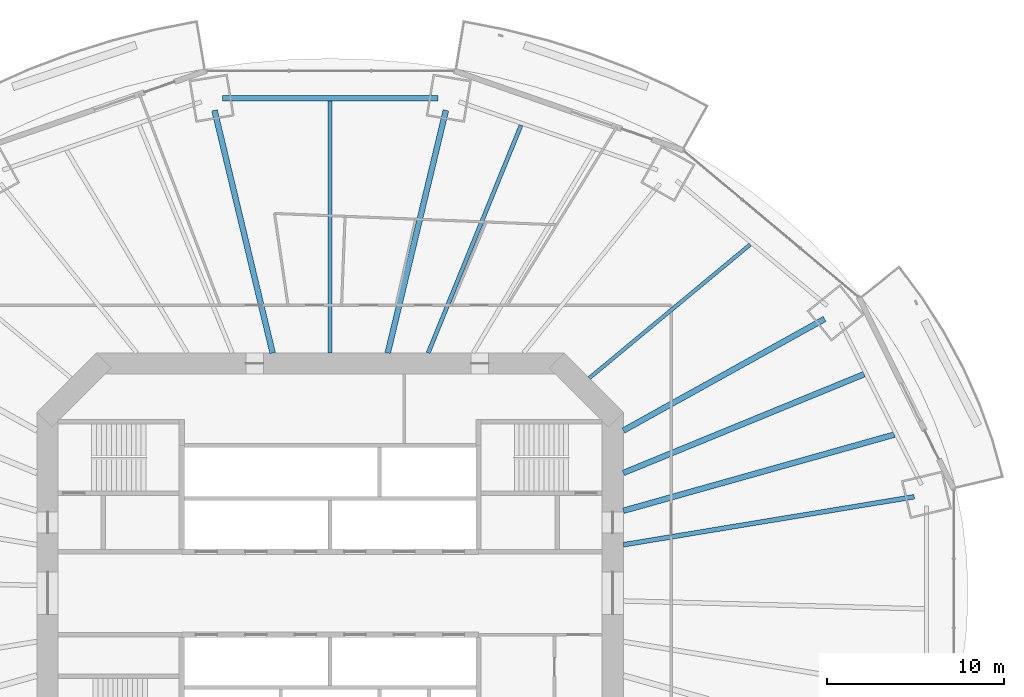
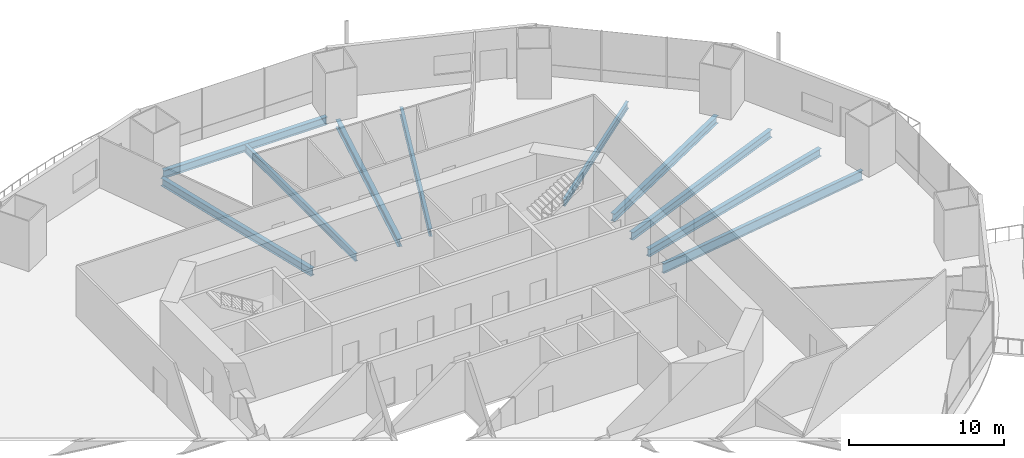
# One storey, part 8 of 23: 10 beams.
"""IFC4 building model written with IfcOpenShell, lengths in metres."""

import ifcopenshell
import ifcopenshell.guid

model = None  # the IFC model being written
_history = None  # IfcOwnerHistory: only IFC2X3 demands one
_inside = {}  # id of a spatial element -> (the spatial element, [elements in it])
_under = {}  # id of a project, library or spatial element -> (it, [spatial elements below it])
_declared = {}  # id of a project -> (the project, [libraries it declares])
_typed = {}  # id of a type object -> (the type object, [elements of that type])
_made_of = {}  # id of a material, layer set ... -> (it, [elements and type objects made of it])


def new_model(schema):
    """Start an empty IFC model of exactly this schema.

    Asked for "IFC4X3", IfcOpenShell would pick the latest addendum, in which some entities
    have other attributes; the version numbers below select the first issue.
    IFC2X3 requires an IfcOwnerHistory on every rooted entity: one is made here for all.
    """
    global model, _history
    if schema == "IFC4X3":
        model = ifcopenshell.file(schema_version=(4, 3, 0, 0))
    else:
        model = ifcopenshell.file(schema=schema)
    _inside.clear()
    _under.clear()
    _declared.clear()
    _typed.clear()
    _made_of.clear()
    _history = None
    if model.schema == "IFC2X3":
        org = make("IfcOrganization", Name="unknown")
        user = make(
            "IfcPersonAndOrganization",
            ThePerson=make("IfcPerson", FamilyName="unknown"),
            TheOrganization=org,
        )
        app = make(
            "IfcApplication",
            ApplicationDeveloper=org,
            Version="unknown",
            ApplicationFullName="unknown",
            ApplicationIdentifier="unknown",
        )
        _history = make(
            "IfcOwnerHistory",
            OwningUser=user,
            OwningApplication=app,
            ChangeAction="ADDED",
            CreationDate=0,
        )
    return model


def make(cls, **values):
    """One entity of the class cls with the attributes given. An attribute that is None is left unset."""
    return model.create_entity(
        cls, **{name: value for name, value in values.items() if value is not None}
    )


def rooted(cls, **values):
    """An entity with a GlobalId (a new one), such as an element, a storey or a relation."""
    return make(cls, GlobalId=ifcopenshell.guid.new(), OwnerHistory=_history, **values)


def si_unit(unit_type, name, prefix=None):
    """IfcSIUnit, for example si_unit("LENGTHUNIT", "METRE", prefix="MILLI")."""
    return make("IfcSIUnit", UnitType=unit_type, Prefix=prefix, Name=name)


def assignment(units):
    """IfcUnitAssignment: the units of a project."""
    return None if units is None else make("IfcUnitAssignment", Units=units)


def point(xyz):
    """IfcCartesianPoint."""
    return None if xyz is None else make("IfcCartesianPoint", Coordinates=xyz)


def direction(xyz):
    """IfcDirection."""
    return None if xyz is None else make("IfcDirection", DirectionRatios=xyz)


def frame(location, z_axis=None, x_axis=None):
    """IfcAxis2Placement3D, a coordinate frame: its origin and axes. An axis left out is left unset."""
    return make(
        "IfcAxis2Placement3D",
        Location=point(location),
        Axis=direction(z_axis),
        RefDirection=direction(x_axis),
    )


def frame_2d(location, x_axis=None):
    """IfcAxis2Placement2D, a coordinate frame in the plane: its origin and x axis."""
    return make(
        "IfcAxis2Placement2D", Location=point(location), RefDirection=direction(x_axis)
    )


def origin():
    """The frame at (0, 0, 0) with its axes left unset."""
    return frame((0.0, 0.0, 0.0))


def origin_2d():
    """The frame at (0, 0) in the plane with its x axis left unset."""
    return frame_2d((0.0, 0.0))


def place(relative_to, where):
    """IfcLocalPlacement: puts the frame where relative to a parent placement (None: the world)."""
    return make(
        "IfcLocalPlacement", PlacementRelTo=relative_to, RelativePlacement=where
    )


def context(
    kind, dimensions, precision=None, world=None, true_north=None, identifier=None
):
    """IfcGeometricRepresentationContext, for example the 3D "Model" context."""
    return make(
        "IfcGeometricRepresentationContext",
        ContextIdentifier=identifier,
        ContextType=kind,
        CoordinateSpaceDimension=dimensions,
        Precision=precision,
        WorldCoordinateSystem=world,
        TrueNorth=true_north,
    )


def subcontext(parent, identifier, kind, view, scale=None):
    """IfcGeometricRepresentationSubContext, for example "Body" below "Model"."""
    return make(
        "IfcGeometricRepresentationSubContext",
        ContextIdentifier=identifier,
        ContextType=kind,
        ParentContext=parent,
        TargetScale=scale,
        TargetView=view,
    )


def project(units=None, contexts=None):
    """IfcProject with its units and contexts."""
    return rooted(
        "IfcProject",
        Name="project",
        RepresentationContexts=contexts,
        UnitsInContext=assignment(units),
    )


def spatial(cls, under=None, at=None, **own):
    """A site, building, storey or space (cls), placed at a placement, below another one or the project."""
    s = rooted(cls, ObjectPlacement=at, **own)
    if under is not None:
        _under.setdefault(under.id(), (under, []))[1].append(s)
    return s


def profile(cls, at=None, kind="AREA", **sizes):
    """A parametric profile (cls). Its sizes go by their IFC names, for example OverallWidth=200.0."""
    return make(cls, ProfileType=kind, Position=at, **sizes)


def i_section(**sizes):
    """IfcIShapeProfileDef."""
    return profile("IfcIShapeProfileDef", **sizes)


def extrude(swept, where, along, depth):
    """IfcExtrudedAreaSolid: the profile swept, set in the frame where, extruded along a direction by depth."""
    return make(
        "IfcExtrudedAreaSolid",
        SweptArea=swept,
        Position=where,
        ExtrudedDirection=direction(along),
        Depth=depth,
    )


def shape(context_of_items, identifier, shape_type, items):
    """IfcShapeRepresentation: the items that make up one representation, for example the "Body"."""
    return make(
        "IfcShapeRepresentation",
        ContextOfItems=context_of_items,
        RepresentationIdentifier=identifier,
        RepresentationType=shape_type,
        Items=items,
    )


def material(Name=None, Category=None):
    """IfcMaterial."""
    return make("IfcMaterial", Name=Name, Category=Category)


def material_profile(
    of_material, cross_section, Name=None, Category=None, Priority=None
):
    """IfcMaterialProfile: a cross section and its material."""
    return make(
        "IfcMaterialProfile",
        Name=Name,
        Material=of_material,
        Profile=cross_section,
        Priority=Priority,
        Category=Category,
    )


def profile_set(profiles, Name=None, composite=None):
    """IfcMaterialProfileSet."""
    return make(
        "IfcMaterialProfileSet",
        Name=Name,
        MaterialProfiles=profiles,
        CompositeProfile=composite,
    )


def made_of(thing, what):
    """Note that an element or type object is made of a material, layer set ...; save() writes the relation."""
    if what is not None:
        _made_of.setdefault(what.id(), (what, []))[1].append(thing)
    return thing


def type_object(cls, material=None, **own):
    """A type object (cls), such as IfcWallType, which elements share."""
    return made_of(rooted(cls, **own), material)


def element(
    cls,
    number,
    at=None,
    inside=None,
    cuts=None,
    type_object=None,
    material=None,
    context=None,
    identifier="Body",
    shape_type=None,
    held_by="IfcProductDefinitionShape",
    body=None,
    shapes=None,
    **own,
):
    """One element of the class cls, such as IfcWall. Its Tag is "e" and its number.

    at: its placement. inside: the storey or other place that contains it. cuts: it is an
    opening in that element (IfcRelVoidsElement). A single representation is given by context,
    identifier, shape_type and body (its items); several are given by shapes. held_by: the class
    of the entity that holds the representations. save() writes the other relations.
    """
    e = rooted(cls, Tag="e%d" % number, ObjectPlacement=at, **own)
    if body is not None:
        shapes = [shape(context, identifier, shape_type, body)]
    if shapes is not None:
        e.Representation = make(held_by, Representations=shapes)
    if inside is not None:
        _inside.setdefault(inside.id(), (inside, []))[1].append(e)
    if cuts is not None:
        rooted(
            "IfcRelVoidsElement", RelatingBuildingElement=cuts, RelatedOpeningElement=e
        )
    if type_object is not None:
        _typed.setdefault(type_object.id(), (type_object, []))[1].append(e)
    return made_of(e, material)


def aggregate(whole, parts):
    """IfcRelAggregates: a whole, such as a stair, and the parts it consists of."""
    return rooted("IfcRelAggregates", RelatingObject=whole, RelatedObjects=parts)


def save(model, path):
    """Write the relations noted so far, then the file.

    IfcRelAggregates (storeys below a building ...), IfcRelContainedInSpatialStructure (elements
    in a storey), IfcRelDefinesByType, IfcRelAssociatesMaterial and IfcRelDeclares: one each for
    every whole, place, type object, material and project.
    """
    for whole, parts in _under.values():
        aggregate(whole, parts)
    for where, things in _inside.values():
        rooted(
            "IfcRelContainedInSpatialStructure",
            RelatedElements=things,
            RelatingStructure=where,
        )
    for kind, things in _typed.values():
        rooted("IfcRelDefinesByType", RelatedObjects=things, RelatingType=kind)
    for what, things in _made_of.values():
        rooted("IfcRelAssociatesMaterial", RelatedObjects=things, RelatingMaterial=what)
    for by, libraries in _declared.values():
        rooted("IfcRelDeclares", RelatingContext=by, RelatedDefinitions=libraries)
    model.write(path)


model = new_model("IFC4")

# Units and contexts
model_context = context("Model", 3, precision=1e-05, world=origin(), true_north=direction((0.0, 1.0)))
body_context = subcontext(model_context, "Body", "Model", "MODEL_VIEW")
ifc_project = project(units=[si_unit("LENGTHUNIT", "METRE"), si_unit("AREAUNIT", "SQUARE_METRE"), si_unit("VOLUMEUNIT", "CUBIC_METRE"), si_unit("PLANEANGLEUNIT", "RADIAN"), si_unit("MASSUNIT", "GRAM", prefix="KILO")], contexts=[model_context])

# Site, building, storey
site_placement = place(None, origin())
site = spatial("IfcSite", under=ifc_project, at=site_placement, CompositionType="ELEMENT")
building_placement = place(site_placement, origin())
building = spatial("IfcBuilding", under=site, at=building_placement, Name="Marenthal Gate Tower", CompositionType="ELEMENT")
storey_placement = place(building_placement, frame((0.0, 0.0, 62.050048828125)))
storey = spatial("IfcBuildingStorey", under=building, at=storey_placement, Name="L11", CompositionType="ELEMENT", Elevation=62.050048828125)

# Beams
ifc_material_1 = material(Name="Steel S355", Category="steel")
ifc_material_profile_1 = material_profile(ifc_material_1, i_section(OverallWidth=0.2119140625, OverallDepth=0.5439453125, WebThickness=0.01318359375, FlangeThickness=0.021240234375, FilletRadius=0.0126953125, at=origin_2d()), Name="W530X123")
ifc_profile_set_1 = profile_set([ifc_material_profile_1], Name="Steel S355")
beam_type_1 = type_object("IfcBeamType", Name="W530X123 beam", PredefinedType="BEAM", material=ifc_profile_set_1)
beam_1_placement = place(storey_placement, frame((23.77783203125, 19.73876953125, -0.4521484375), z_axis=(-0.769432069778, -0.638728651304, 0.0), x_axis=(0.638728651304, -0.769432069778, 0.0)))
element("IfcBeam", 1, at=beam_1_placement, inside=storey, type_object=beam_type_1, Name="BM-L11-19", PredefinedType="BEAM", context=body_context, shape_type="SweptSolid", body=[
    extrude(i_section(OverallWidth=0.2119140625, OverallDepth=0.5439453125, WebThickness=0.01318359375, FlangeThickness=0.021240234375, FilletRadius=0.0126953125, at=origin_2d()), origin(), (0.0, 0.0, 1.0), 11.8369140625),
])
ifc_material_2 = material(Name="Steel S355", Category="steel")
ifc_material_profile_2 = material_profile(ifc_material_2, i_section(OverallWidth=0.22900390625, OverallDepth=0.612060546875, WebThickness=0.011962890625, FlangeThickness=0.01953125, FilletRadius=0.0126953125, at=origin_2d()), Name="W610X125")
ifc_profile_set_2 = profile_set([ifc_material_profile_2], Name="Steel S355")
beam_type_2 = type_object("IfcBeamType", Name="W610X125 beam", PredefinedType="BEAM", material=ifc_profile_set_2)
beam_2_placement = place(storey_placement, frame((10.805908203125, 26.491943359375, -0.486083984375), z_axis=(-0.377685635209, -0.925933885845, 0.0), x_axis=(0.925933885845, -0.377685635209, 0.0)))
element("IfcBeam", 2, at=beam_2_placement, inside=storey, type_object=beam_type_2, Name="BM-L11-21", PredefinedType="BEAM", context=body_context, shape_type="SweptSolid", body=[
    extrude(i_section(OverallWidth=0.22900390625, OverallDepth=0.612060546875, WebThickness=0.011962890625, FlangeThickness=0.01953125, FilletRadius=0.0126953125, at=origin_2d()), origin(), (0.0, 0.0, 1.0), 13.923095703125),
])
beam_3_placement = place(storey_placement, frame((0.0, 27.857666015625, -0.486083984375), z_axis=(0.0, -1.0, 0.0), x_axis=(1.0, 0.0, 0.0)))
element("IfcBeam", 3, at=beam_3_placement, inside=storey, type_object=beam_type_2, Name="BM-L11-22", PredefinedType="BEAM", context=body_context, shape_type="SweptSolid", body=[
    extrude(i_section(OverallWidth=0.22900390625, OverallDepth=0.612060546875, WebThickness=0.011962890625, FlangeThickness=0.01953125, FilletRadius=0.0126953125, at=origin_2d()), origin(), (0.0, 0.0, 1.0), 14.257568359375),
])
ifc_material_3 = material(Name="Steel S355", Category="steel")
ifc_material_profile_3 = material_profile(ifc_material_3, i_section(OverallWidth=0.324951171875, OverallDepth=0.612060546875, WebThickness=0.0126953125, FlangeThickness=0.01904296875, FilletRadius=0.0126953125, at=origin_2d()), Name="W610X155")
ifc_profile_set_3 = profile_set([ifc_material_profile_3], Name="Steel S355")
beam_type_3 = type_object("IfcBeamType", Name="W610X155 beam", PredefinedType="BEAM", material=ifc_profile_set_3)
beam_4_placement = place(storey_placement, frame((27.9873046875, 15.52392578125, -0.486083984375), z_axis=(-0.874477229212, -0.485066568204, 0.0), x_axis=(0.485066568204, -0.874477229212, 0.0)))
element("IfcBeam", 4, at=beam_4_placement, inside=storey, type_object=beam_type_3, Name="BM-L11-02", PredefinedType="BEAM", context=body_context, shape_type="SweptSolid", body=[
    extrude(i_section(OverallWidth=0.324951171875, OverallDepth=0.612060546875, WebThickness=0.0126953125, FlangeThickness=0.01904296875, FilletRadius=0.0126953125, at=origin_2d()), origin(), (0.0, 0.0, 1.0), 13.021728515625),
])
for number, where, z_axis, x_axis, name in (
    (5, (6.55029296875, 27.336181640625, -0.486083984375), (-0.233027773501, -0.972470080145, 0.0), (0.972470080145, -0.233027773501, 0.0), "BM-L11-04"),
    (6, (-6.55029296875, 27.336181640625, -0.486083984375), (0.233027773501, -0.972470080145, 0.0), (0.972470080145, 0.233027773501, 0.0), "BM-L11-05"),
):
    element("IfcBeam", number, at=place(storey_placement, frame(where, z_axis=z_axis, x_axis=x_axis)), inside=storey, type_object=beam_type_3, Name=name, PredefinedType="BEAM", context=body_context, shape_type="SweptSolid", body=[
        extrude(i_section(OverallWidth=0.324951171875, OverallDepth=0.612060546875, WebThickness=0.0126953125, FlangeThickness=0.01904296875, FilletRadius=0.0126953125, at=origin_2d()), origin(), (0.0, 0.0, 1.0), 14.125),
    ])
beam_5_placement = place(storey_placement, frame((31.93701171875, 8.977294921875, -0.486083984375), z_axis=(-0.962687377479, -0.270615988521, 0.0), x_axis=(0.270615988521, -0.962687377479, 0.0)))
element("IfcBeam", 7, at=beam_5_placement, inside=storey, type_object=beam_type_3, Name="BM-L11-17", PredefinedType="BEAM", context=body_context, shape_type="SweptSolid", body=[
    extrude(i_section(OverallWidth=0.324951171875, OverallDepth=0.612060546875, WebThickness=0.0126953125, FlangeThickness=0.01904296875, FilletRadius=0.0126953125, at=origin_2d()), origin(), (0.0, 0.0, 1.0), 15.931396484375),
])
beam_6_placement = place(storey_placement, frame((30.2294921875, 12.39892578125, -0.486083984375), z_axis=(-0.925197564596, -0.379485792178, 0.0), x_axis=(0.379485792178, -0.925197564596, 0.0)))
element("IfcBeam", 8, at=beam_6_placement, inside=storey, type_object=beam_type_3, Name="BM-L11-18", PredefinedType="BEAM", context=body_context, shape_type="SweptSolid", body=[
    extrude(i_section(OverallWidth=0.324951171875, OverallDepth=0.612060546875, WebThickness=0.0126953125, FlangeThickness=0.01904296875, FilletRadius=0.0126953125, at=origin_2d()), origin(), (0.0, 0.0, 1.0), 14.7314453125),
])
beam_7_placement = place(storey_placement, frame((6.09912109375, 28.02001953125, -0.486083984375), z_axis=(-1.0, 0.0, 0.0), x_axis=(0.0, -1.0, 0.0)))
element("IfcBeam", 9, at=beam_7_placement, inside=storey, type_object=beam_type_3, Name="BM-L11-44", PredefinedType="BEAM", context=body_context, shape_type="SweptSolid", body=[
    extrude(i_section(OverallWidth=0.324951171875, OverallDepth=0.612060546875, WebThickness=0.0126953125, FlangeThickness=0.01904296875, FilletRadius=0.0126953125, at=origin_2d()), origin(), (0.0, 0.0, 1.0), 12.1982421875),
])
ifc_material_4 = material(Name="Steel S355", Category="steel")
ifc_material_profile_4 = material_profile(ifc_material_4, i_section(OverallWidth=0.26708984375, OverallDepth=0.761962890625, WebThickness=0.014404296875, FlangeThickness=0.021484375, FilletRadius=0.0166015625, at=origin_2d()), Name="W760X173")
ifc_profile_set_4 = profile_set([ifc_material_profile_4], Name="Steel S355")
beam_type_4 = type_object("IfcBeamType", Name="W760X173 beam", PredefinedType="BEAM", material=ifc_profile_set_4)
beam_8_placement = place(storey_placement, frame((33.06005859375, 5.458984375, -0.56103515625), z_axis=(-0.986638832435, -0.16292272503, 0.0), x_axis=(0.16292272503, -0.986638832435, 0.0)))
element("IfcBeam", 10, at=beam_8_placement, inside=storey, type_object=beam_type_4, Name="BM-L11-01", PredefinedType="BEAM", context=body_context, shape_type="SweptSolid", body=[
    extrude(i_section(OverallWidth=0.26708984375, OverallDepth=0.761962890625, WebThickness=0.014404296875, FlangeThickness=0.021484375, FilletRadius=0.0166015625, at=origin_2d()), origin(), (0.0, 0.0, 1.0), 16.682861328125),
])

save(model, "model.ifc")
